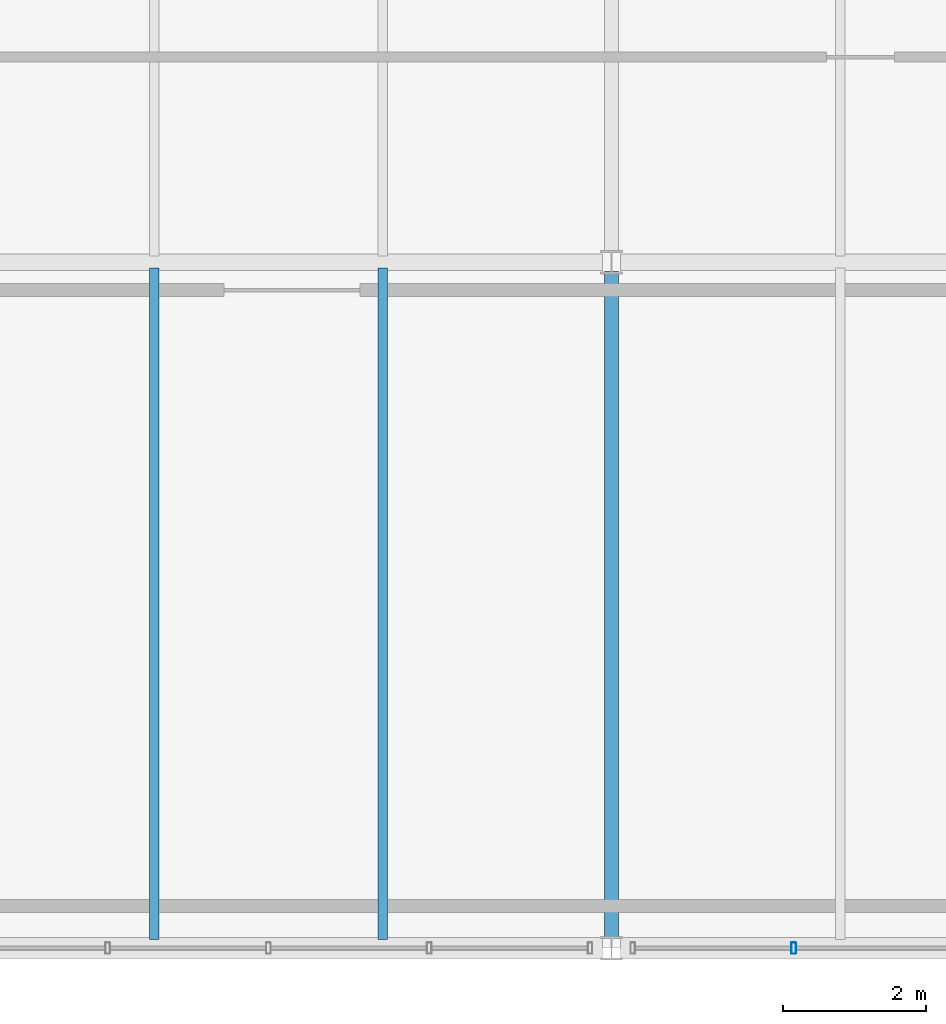
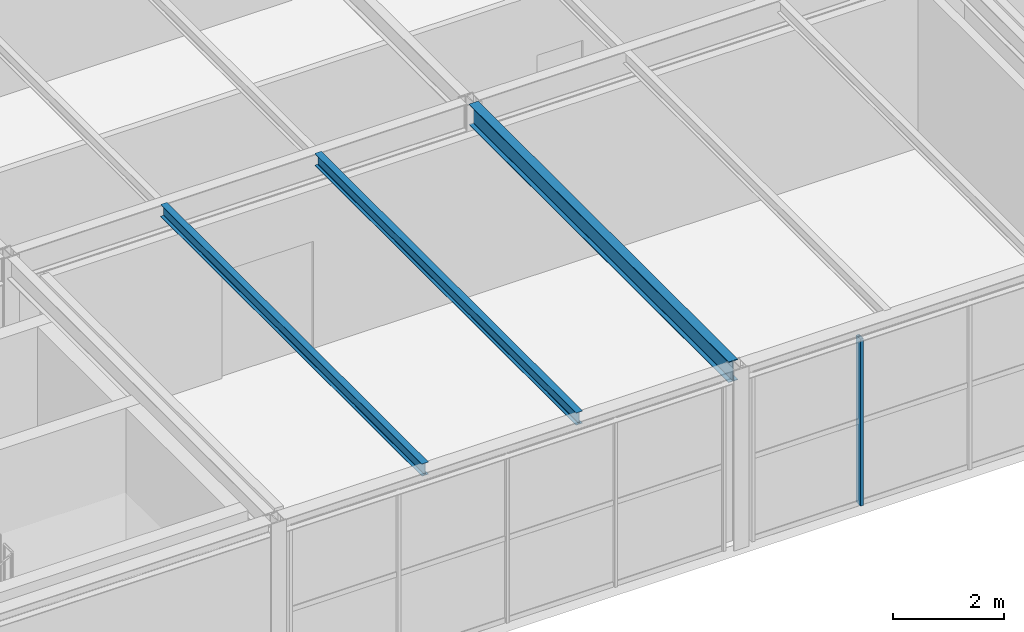
# One storey, part 19 of 50: 3 beams, 1 member, 1 element without a shape of its own.
"""IFC4 building model written with IfcOpenShell, lengths in metres."""

import ifcopenshell
import ifcopenshell.guid

model = None  # the IFC model being written
_history = None  # IfcOwnerHistory: only IFC2X3 demands one
_inside = {}  # id of a spatial element -> (the spatial element, [elements in it])
_under = {}  # id of a project, library or spatial element -> (it, [spatial elements below it])
_declared = {}  # id of a project -> (the project, [libraries it declares])
_typed = {}  # id of a type object -> (the type object, [elements of that type])
_made_of = {}  # id of a material, layer set ... -> (it, [elements and type objects made of it])


def new_model(schema):
    """Start an empty IFC model of exactly this schema.

    Asked for "IFC4X3", IfcOpenShell would pick the latest addendum, in which some entities
    have other attributes; the version numbers below select the first issue.
    IFC2X3 requires an IfcOwnerHistory on every rooted entity: one is made here for all.
    """
    global model, _history
    if schema == "IFC4X3":
        model = ifcopenshell.file(schema_version=(4, 3, 0, 0))
    else:
        model = ifcopenshell.file(schema=schema)
    _inside.clear()
    _under.clear()
    _declared.clear()
    _typed.clear()
    _made_of.clear()
    _history = None
    if model.schema == "IFC2X3":
        org = make("IfcOrganization", Name="unknown")
        user = make(
            "IfcPersonAndOrganization",
            ThePerson=make("IfcPerson", FamilyName="unknown"),
            TheOrganization=org,
        )
        app = make(
            "IfcApplication",
            ApplicationDeveloper=org,
            Version="unknown",
            ApplicationFullName="unknown",
            ApplicationIdentifier="unknown",
        )
        _history = make(
            "IfcOwnerHistory",
            OwningUser=user,
            OwningApplication=app,
            ChangeAction="ADDED",
            CreationDate=0,
        )
    return model


def make(cls, **values):
    """One entity of the class cls with the attributes given. An attribute that is None is left unset."""
    return model.create_entity(
        cls, **{name: value for name, value in values.items() if value is not None}
    )


def rooted(cls, **values):
    """An entity with a GlobalId (a new one), such as an element, a storey or a relation."""
    return make(cls, GlobalId=ifcopenshell.guid.new(), OwnerHistory=_history, **values)


def si_unit(unit_type, name, prefix=None):
    """IfcSIUnit, for example si_unit("LENGTHUNIT", "METRE", prefix="MILLI")."""
    return make("IfcSIUnit", UnitType=unit_type, Prefix=prefix, Name=name)


def assignment(units):
    """IfcUnitAssignment: the units of a project."""
    return None if units is None else make("IfcUnitAssignment", Units=units)


def point(xyz):
    """IfcCartesianPoint."""
    return None if xyz is None else make("IfcCartesianPoint", Coordinates=xyz)


def direction(xyz):
    """IfcDirection."""
    return None if xyz is None else make("IfcDirection", DirectionRatios=xyz)


def frame(location, z_axis=None, x_axis=None):
    """IfcAxis2Placement3D, a coordinate frame: its origin and axes. An axis left out is left unset."""
    return make(
        "IfcAxis2Placement3D",
        Location=point(location),
        Axis=direction(z_axis),
        RefDirection=direction(x_axis),
    )


def frame_2d(location, x_axis=None):
    """IfcAxis2Placement2D, a coordinate frame in the plane: its origin and x axis."""
    return make(
        "IfcAxis2Placement2D", Location=point(location), RefDirection=direction(x_axis)
    )


def origin():
    """The frame at (0, 0, 0) with its axes left unset."""
    return frame((0.0, 0.0, 0.0))


def origin_2d():
    """The frame at (0, 0) in the plane with its x axis left unset."""
    return frame_2d((0.0, 0.0))


def place(relative_to, where):
    """IfcLocalPlacement: puts the frame where relative to a parent placement (None: the world)."""
    return make(
        "IfcLocalPlacement", PlacementRelTo=relative_to, RelativePlacement=where
    )


def context(
    kind, dimensions, precision=None, world=None, true_north=None, identifier=None
):
    """IfcGeometricRepresentationContext, for example the 3D "Model" context."""
    return make(
        "IfcGeometricRepresentationContext",
        ContextIdentifier=identifier,
        ContextType=kind,
        CoordinateSpaceDimension=dimensions,
        Precision=precision,
        WorldCoordinateSystem=world,
        TrueNorth=true_north,
    )


def subcontext(parent, identifier, kind, view, scale=None):
    """IfcGeometricRepresentationSubContext, for example "Body" below "Model"."""
    return make(
        "IfcGeometricRepresentationSubContext",
        ContextIdentifier=identifier,
        ContextType=kind,
        ParentContext=parent,
        TargetScale=scale,
        TargetView=view,
    )


def project(units=None, contexts=None):
    """IfcProject with its units and contexts."""
    return rooted(
        "IfcProject",
        Name="project",
        RepresentationContexts=contexts,
        UnitsInContext=assignment(units),
    )


def spatial(cls, under=None, at=None, **own):
    """A site, building, storey or space (cls), placed at a placement, below another one or the project."""
    s = rooted(cls, ObjectPlacement=at, **own)
    if under is not None:
        _under.setdefault(under.id(), (under, []))[1].append(s)
    return s


def profile(cls, at=None, kind="AREA", **sizes):
    """A parametric profile (cls). Its sizes go by their IFC names, for example OverallWidth=200.0."""
    return make(cls, ProfileType=kind, Position=at, **sizes)


def hollow_rectangle(**sizes):
    """IfcRectangleHollowProfileDef."""
    return profile("IfcRectangleHollowProfileDef", **sizes)


def i_section(**sizes):
    """IfcIShapeProfileDef."""
    return profile("IfcIShapeProfileDef", **sizes)


def extrude(swept, where, along, depth):
    """IfcExtrudedAreaSolid: the profile swept, set in the frame where, extruded along a direction by depth."""
    return make(
        "IfcExtrudedAreaSolid",
        SweptArea=swept,
        Position=where,
        ExtrudedDirection=direction(along),
        Depth=depth,
    )


def shape(context_of_items, identifier, shape_type, items):
    """IfcShapeRepresentation: the items that make up one representation, for example the "Body"."""
    return make(
        "IfcShapeRepresentation",
        ContextOfItems=context_of_items,
        RepresentationIdentifier=identifier,
        RepresentationType=shape_type,
        Items=items,
    )


def material(Name=None, Category=None):
    """IfcMaterial."""
    return make("IfcMaterial", Name=Name, Category=Category)


def material_profile(
    of_material, cross_section, Name=None, Category=None, Priority=None
):
    """IfcMaterialProfile: a cross section and its material."""
    return make(
        "IfcMaterialProfile",
        Name=Name,
        Material=of_material,
        Profile=cross_section,
        Priority=Priority,
        Category=Category,
    )


def profile_set(profiles, Name=None, composite=None):
    """IfcMaterialProfileSet."""
    return make(
        "IfcMaterialProfileSet",
        Name=Name,
        MaterialProfiles=profiles,
        CompositeProfile=composite,
    )


def made_of(thing, what):
    """Note that an element or type object is made of a material, layer set ...; save() writes the relation."""
    if what is not None:
        _made_of.setdefault(what.id(), (what, []))[1].append(thing)
    return thing


def type_object(cls, material=None, **own):
    """A type object (cls), such as IfcWallType, which elements share."""
    return made_of(rooted(cls, **own), material)


def element(
    cls,
    number,
    at=None,
    inside=None,
    cuts=None,
    type_object=None,
    material=None,
    context=None,
    identifier="Body",
    shape_type=None,
    held_by="IfcProductDefinitionShape",
    body=None,
    shapes=None,
    **own,
):
    """One element of the class cls, such as IfcWall. Its Tag is "e" and its number.

    at: its placement. inside: the storey or other place that contains it. cuts: it is an
    opening in that element (IfcRelVoidsElement). A single representation is given by context,
    identifier, shape_type and body (its items); several are given by shapes. held_by: the class
    of the entity that holds the representations. save() writes the other relations.
    """
    e = rooted(cls, Tag="e%d" % number, ObjectPlacement=at, **own)
    if body is not None:
        shapes = [shape(context, identifier, shape_type, body)]
    if shapes is not None:
        e.Representation = make(held_by, Representations=shapes)
    if inside is not None:
        _inside.setdefault(inside.id(), (inside, []))[1].append(e)
    if cuts is not None:
        rooted(
            "IfcRelVoidsElement", RelatingBuildingElement=cuts, RelatedOpeningElement=e
        )
    if type_object is not None:
        _typed.setdefault(type_object.id(), (type_object, []))[1].append(e)
    return made_of(e, material)


def aggregate(whole, parts):
    """IfcRelAggregates: a whole, such as a stair, and the parts it consists of."""
    return rooted("IfcRelAggregates", RelatingObject=whole, RelatedObjects=parts)


def save(model, path):
    """Write the relations noted so far, then the file.

    IfcRelAggregates (storeys below a building ...), IfcRelContainedInSpatialStructure (elements
    in a storey), IfcRelDefinesByType, IfcRelAssociatesMaterial and IfcRelDeclares: one each for
    every whole, place, type object, material and project.
    """
    for whole, parts in _under.values():
        aggregate(whole, parts)
    for where, things in _inside.values():
        rooted(
            "IfcRelContainedInSpatialStructure",
            RelatedElements=things,
            RelatingStructure=where,
        )
    for kind, things in _typed.values():
        rooted("IfcRelDefinesByType", RelatedObjects=things, RelatingType=kind)
    for what, things in _made_of.values():
        rooted("IfcRelAssociatesMaterial", RelatedObjects=things, RelatingMaterial=what)
    for by, libraries in _declared.values():
        rooted("IfcRelDeclares", RelatingContext=by, RelatedDefinitions=libraries)
    model.write(path)


model = new_model("IFC4")

# Units and contexts
model_context = context("Model", 3, precision=1e-05, world=origin(), true_north=direction((0.0, 1.0)))
body_context = subcontext(model_context, "Body", "Model", "MODEL_VIEW")
ifc_project = project(units=[si_unit("LENGTHUNIT", "METRE"), si_unit("AREAUNIT", "SQUARE_METRE"), si_unit("VOLUMEUNIT", "CUBIC_METRE"), si_unit("PLANEANGLEUNIT", "RADIAN"), si_unit("MASSUNIT", "GRAM", prefix="KILO")], contexts=[model_context])

# Site, building, storey
site_placement = place(None, origin())
site = spatial("IfcSite", under=ifc_project, at=site_placement, CompositionType="ELEMENT")
building_placement = place(site_placement, origin())
building = spatial("IfcBuilding", under=site, at=building_placement, Name="Coralgate Yard Interchange", CompositionType="ELEMENT")
storey_placement = place(building_placement, frame((0.0, 0.0, 14.699951171875)))
storey = spatial("IfcBuildingStorey", under=building, at=storey_placement, Name="L03", CompositionType="ELEMENT", Elevation=14.699951171875)

# Beams
ifc_material_1 = material(Name="Structural steel S355J2", Category="steel")
ifc_material_profile_1 = material_profile(ifc_material_1, i_section(OverallWidth=0.1904296875, OverallDepth=0.45703125, WebThickness=0.009033203125, FlangeThickness=0.014404296875, FilletRadius=0.01025390625, at=origin_2d()), Name="UB 457x191x74")
ifc_profile_set_1 = profile_set([ifc_material_profile_1], Name="Structural steel S355J2")
beam_type_1 = type_object("IfcBeamType", Name="BM-SB-2", PredefinedType="BEAM", material=ifc_profile_set_1)
beam_placement = place(storey_placement, frame((38.39990234375, 0.133544921875, 3.721435546875), z_axis=(0.0, 1.0, 0.0), x_axis=(-1.0, 0.0, 0.0)))
element("IfcBeam", 1, at=beam_placement, inside=storey, type_object=beam_type_1, Name="L03 primary grid girder X4 Y0-1", PredefinedType="BEAM", context=body_context, shape_type="SweptSolid", body=[
    extrude(i_section(OverallWidth=0.1904296875, OverallDepth=0.45703125, WebThickness=0.009033203125, FlangeThickness=0.014404296875, FilletRadius=0.01025390625, at=origin_2d()), origin(), (0.0, 0.0, 1.0), 9.3330078125),
])
ifc_material_profile_2 = material_profile(ifc_material_1, i_section(OverallWidth=0.135009765625, OverallDepth=0.27001953125, WebThickness=0.006591796875, FlangeThickness=0.01025390625, FilletRadius=0.014892578125, at=origin_2d()), Name="IPE 270")
ifc_profile_set_2 = profile_set([ifc_material_profile_2], Name="Structural steel S355J2")
beam_type_2 = type_object("IfcBeamType", Name="BM-SJ-3", PredefinedType="JOIST", material=ifc_profile_set_2)
for number, where, z_axis, x_axis, name in (
    (2, (32.0, 0.1201171875, 3.81494140625), (0.0, 1.0, 0.0), (-1.0, 0.0, 0.0), "L03 composite floor joist 3-0-1"),
    (3, (35.199951171875, 0.1201171875, 3.81494140625), (0.0, 1.0, 0.0), (-1.0, 0.0, 0.0), "L03 composite floor joist 3-0-2"),
):
    element("IfcBeam", number, at=place(storey_placement, frame(where, z_axis=z_axis, x_axis=x_axis)), inside=storey, type_object=beam_type_2, Name=name, PredefinedType="JOIST", context=body_context, shape_type="SweptSolid", body=[
        extrude(i_section(OverallWidth=0.135009765625, OverallDepth=0.27001953125, WebThickness=0.006591796875, FlangeThickness=0.01025390625, FilletRadius=0.014892578125, at=origin_2d()), origin(), (0.0, 0.0, 1.0), 9.395751953125),
    ])

# Curtain wall, member
ifc_material_2 = material(Name="Anodised coastal aluminium and solar-control low-E glass", Category="aluminium")
curtain_wall_type = type_object("IfcCurtainWallType", Name="CW-CW-L03-A", PredefinedType="NOTDEFINED", material=ifc_material_2)
curtain_wall_placement = place(storey_placement, origin())
curtain_wall = element("IfcCurtainWall", 4, at=curtain_wall_placement, inside=storey, type_object=curtain_wall_type, Name="L03 unitised curtain wall CW-L03-S-04-00", PredefinedType="NOTDEFINED")
ifc_material_3 = material(Name="Anodised coastal aluminium 6063-T6", Category="aluminium")
ifc_material_profile_3 = material_profile(ifc_material_3, hollow_rectangle(XDim=0.06494140625, YDim=0.159912109375, WallThickness=0.00390625, InnerFilletRadius=0.00390625, OuterFilletRadius=0.008056640625, at=origin_2d()), Name="ALU 65x160x4")
ifc_profile_set_3 = profile_set([ifc_material_profile_3], Name="Anodised coastal aluminium 6063-T6")
member_type = type_object("IfcMemberType", Name="MB-MUL-160", PredefinedType="MULLION", material=ifc_profile_set_3)
member_placement = place(storey_placement, frame((40.949951171875, 0.0, 0.0), z_axis=(0.0, 0.0, 1.0), x_axis=(1.0, 0.0, 0.0)))
member = element("IfcMember", 5, at=member_placement, type_object=member_type, Name="CW-L03-S-04-00 vertical mullion 4", PredefinedType="MULLION", context=body_context, shape_type="SweptSolid", body=[
    extrude(hollow_rectangle(XDim=0.06494140625, YDim=0.159912109375, WallThickness=0.00390625, InnerFilletRadius=0.00390625, OuterFilletRadius=0.008056640625, at=origin_2d()), origin(), (0.0, 0.0, 1.0), 3.66015625),
])
aggregate(curtain_wall, [member])

save(model, "model.ifc")
